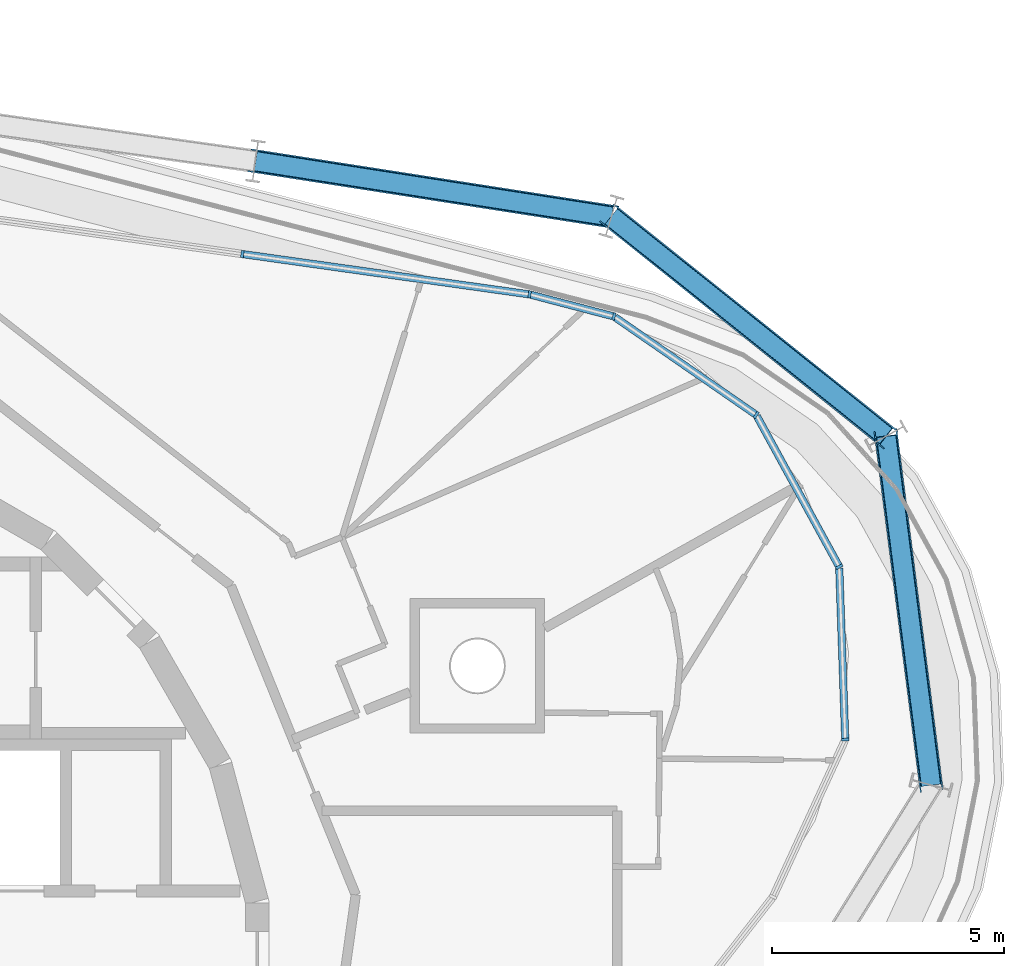
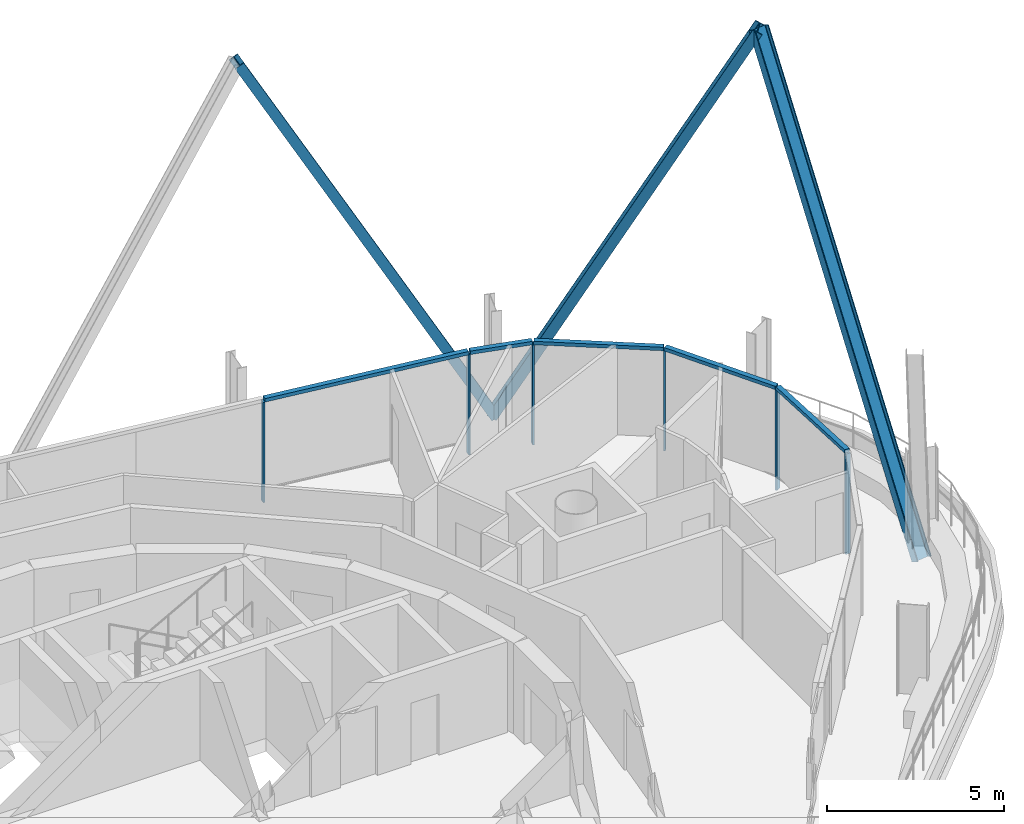
# One storey, part 7 of 17: 14 members, 2 elements without a shape of their own.
"""IFC4 building model written with IfcOpenShell, lengths in metres."""

from ifc_helpers import new_model, si_unit, direction, frame, origin, origin_2d, place, context, subcontext, project, spatial, rectangle, i_section, extrude, material, layer, layer_set, material_profile, profile_set, type_object, element, aggregate, save


model = new_model("IFC4")

# Units and contexts
model_context = context("Model", 3, precision=1e-05, world=origin(), true_north=direction((0.0, 1.0)))
body_context = subcontext(model_context, "Body", "Model", "MODEL_VIEW")
ifc_project = project(units=[si_unit("LENGTHUNIT", "METRE"), si_unit("AREAUNIT", "SQUARE_METRE"), si_unit("VOLUMEUNIT", "CUBIC_METRE"), si_unit("PLANEANGLEUNIT", "RADIAN"), si_unit("MASSUNIT", "GRAM", prefix="KILO")], contexts=[model_context])

# Site, building, storey
site_placement = place(None, origin())
site = spatial("IfcSite", under=ifc_project, at=site_placement, CompositionType="ELEMENT")
building_placement = place(site_placement, origin())
building = spatial("IfcBuilding", under=site, at=building_placement, Name="Spindle Arch Residences", CompositionType="ELEMENT")
storey_placement = place(building_placement, frame((0.0, 0.0, 333.0)))
storey = spatial("IfcBuildingStorey", under=building, at=storey_placement, Name="L85", CompositionType="ELEMENT", Elevation=333.0)

# Curtain wall, members
ifc_material_1 = material(Name="Aluminium bronze unitised frame with tinted glass", Category="aluminium")
ifc_layer_1 = layer(ifc_material_1, 0.159912109375)
ifc_layer_set_1 = layer_set([ifc_layer_1], Name="CW-D corner wall on the fillet arcs")
curtain_wall_type_1 = type_object("IfcCurtainWallType", Name="CW-D corner wall on the fillet arcs", PredefinedType="NOTDEFINED", material=ifc_layer_set_1)
curtain_wall_1_placement = place(storey_placement, origin())
curtain_wall_1 = element("IfcCurtainWall", 1, at=curtain_wall_1_placement, inside=storey, type_object=curtain_wall_type_1, Name="CW-D L85 run 1", PredefinedType="NOTDEFINED")
ifc_material_2 = material(Name="Aluminium bronze anodised mullion", Category="aluminium")
ifc_material_profile_1 = material_profile(ifc_material_2, rectangle(XDim=0.159912109375, YDim=0.06005859375, at=origin_2d()), Name="MU 60x160")
ifc_profile_set_1 = profile_set([ifc_material_profile_1], Name="Aluminium bronze anodised mullion")
member_type_1 = type_object("IfcMemberType", Name="Bronze mullion 60x160", PredefinedType="MULLION", material=ifc_profile_set_1)
member_1_placement = place(storey_placement, frame((24.31201171875, 5.033935546875, -0.449951171875), z_axis=(0.0, 0.0, 1.0), x_axis=(-0.999390827004, -0.034899497139, 0.0)))
member_1 = element("IfcMember", 2, at=member_1_placement, type_object=member_type_1, Name="CW-D mullion 02", PredefinedType="MULLION", context=body_context, shape_type="SweptSolid", body=[
    extrude(rectangle(XDim=0.159912109375, YDim=0.06005859375, at=origin_2d()), origin(), (0.0, 0.0, 1.0), 3.449951171875),
])
member_2_placement = place(storey_placement, frame((24.18212890625, 8.758544921875, -0.449951171875), z_axis=(0.0, 0.0, 1.0), x_axis=(-0.877425397533, -0.479713114021, 0.0)))
member_2 = element("IfcMember", 3, at=member_2_placement, type_object=member_type_1, Name="CW-D mullion 03", PredefinedType="MULLION", context=body_context, shape_type="SweptSolid", body=[
    extrude(rectangle(XDim=0.159912109375, YDim=0.06005859375, at=origin_2d()), origin(), (0.0, 0.0, 1.0), 3.449951171875),
])
member_3_placement = place(storey_placement, frame((22.394287109375, 12.0283203125, -0.449951171875), z_axis=(0.0, 0.0, 1.0), x_axis=(-0.568801123739, -0.822475094841, 0.0)))
member_3 = element("IfcMember", 4, at=member_3_placement, type_object=member_type_1, Name="CW-D mullion 04", PredefinedType="MULLION", context=body_context, shape_type="SweptSolid", body=[
    extrude(rectangle(XDim=0.159912109375, YDim=0.06005859375, at=origin_2d()), origin(), (0.0, 0.0, 1.0), 3.449951171875),
])
member_4_placement = place(storey_placement, frame((19.3291015625, 14.148193359375, -0.449951171875), z_axis=(0.0, 0.0, 1.0), x_axis=(-0.25319517245, -0.967415218326, 0.0)))
member_4 = element("IfcMember", 5, at=member_4_placement, type_object=member_type_1, Name="CW-D mullion 05", PredefinedType="MULLION", context=body_context, shape_type="SweptSolid", body=[
    extrude(rectangle(XDim=0.159912109375, YDim=0.06005859375, at=origin_2d()), origin(), (0.0, 0.0, 1.0), 3.449951171875),
])
member_5_placement = place(storey_placement, frame((17.51416015625, 14.623291015625, -0.449951171875), z_axis=(0.0, 0.0, 1.0), x_axis=(-0.13917310096, -0.990268068742, 0.0)))
member_5 = element("IfcMember", 6, at=member_5_placement, type_object=member_type_1, Name="CW-D mullion 06", PredefinedType="MULLION", context=body_context, shape_type="SweptSolid", body=[
    extrude(rectangle(XDim=0.159912109375, YDim=0.06005859375, at=origin_2d()), origin(), (0.0, 0.0, 1.0), 3.449951171875),
])

# Curtain wall, member
ifc_material_3 = material(Name="Aluminium bronze unitised frame with tinted glass", Category="aluminium")
ifc_layer_2 = layer(ifc_material_3, 0.159912109375)
ifc_layer_set_2 = layer_set([ifc_layer_2], Name="CW-C typical residential unitised wall")
curtain_wall_type_2 = type_object("IfcCurtainWallType", Name="CW-C typical residential unitised wall", PredefinedType="NOTDEFINED", material=ifc_layer_set_2)
curtain_wall_2_placement = place(storey_placement, origin())
curtain_wall_2 = element("IfcCurtainWall", 7, at=curtain_wall_2_placement, inside=storey, type_object=curtain_wall_type_2, Name="CW-C L85 run 2", PredefinedType="NOTDEFINED")
member_6_placement = place(storey_placement, frame((11.326171875, 15.492919921875, -0.449951171875), z_axis=(0.0, 0.0, 1.0), x_axis=(-0.13917310096, -0.990268068742, 0.0)))
member_6 = element("IfcMember", 8, at=member_6_placement, type_object=member_type_1, Name="CW-C mullion 05", PredefinedType="MULLION", context=body_context, shape_type="SweptSolid", body=[
    extrude(rectangle(XDim=0.159912109375, YDim=0.06005859375, at=origin_2d()), origin(), (0.0, 0.0, 1.0), 3.449951171875),
])
aggregate(curtain_wall_2, [member_6])

# Member
ifc_material_4 = material(Name="Aluminium bronze anodised transom", Category="aluminium")
ifc_material_profile_2 = material_profile(ifc_material_4, rectangle(XDim=0.159912109375, YDim=0.1201171875, at=origin_2d()), Name="TR 120x160")
ifc_profile_set_2 = profile_set([ifc_material_profile_2], Name="Aluminium bronze anodised transom")
member_type_2 = type_object("IfcMemberType", Name="Bronze transom 120x160", PredefinedType="USERDEFINED", material=ifc_profile_set_2)
member_7_placement = place(storey_placement, frame((24.31103515625, 5.06396484375, 3.06005859375), z_axis=(-0.034888806725, 0.999391200264, 0.0), x_axis=(-0.999391200264, -0.034888806725, 0.0)))
member_7 = element("IfcMember", 9, at=member_7_placement, type_object=member_type_2, Name="CW-D transom 02", ObjectType="TRANSOM", PredefinedType="USERDEFINED", context=body_context, shape_type="SweptSolid", body=[
    extrude(rectangle(XDim=0.159912109375, YDim=0.1201171875, at=origin_2d()), origin(), (0.0, 0.0, 1.0), 3.666748046875),
])

member_8_placement = place(storey_placement, frame((24.167724609375, 8.784912109375, 3.06005859375), z_axis=(-0.479724247399, 0.877419310511, 0.0), x_axis=(-0.877419310511, -0.479724247399, 0.0)))
member_8 = element("IfcMember", 10, at=member_8_placement, type_object=member_type_2, Name="CW-D transom 03", ObjectType="TRANSOM", PredefinedType="USERDEFINED", context=body_context, shape_type="SweptSolid", body=[
    extrude(rectangle(XDim=0.159912109375, YDim=0.1201171875, at=origin_2d()), origin(), (0.0, 0.0, 1.0), 3.666748046875),
])

member_9_placement = place(storey_placement, frame((22.36962890625, 12.04541015625, 3.06005859375), z_axis=(-0.822474926174, 0.568801367628, 0.0), x_axis=(-0.568801367628, -0.822474926174, 0.0)))
member_9 = element("IfcMember", 11, at=member_9_placement, type_object=member_type_2, Name="CW-D transom 04", ObjectType="TRANSOM", PredefinedType="USERDEFINED", context=body_context, shape_type="SweptSolid", body=[
    extrude(rectangle(XDim=0.159912109375, YDim=0.1201171875, at=origin_2d()), origin(), (0.0, 0.0, 1.0), 3.666748046875),
])

member_10_placement = place(storey_placement, frame((19.300048828125, 14.15576171875, 3.06005859375), z_axis=(-0.96739418578, 0.253275520568, 0.0), x_axis=(-0.253275520568, -0.96739418578, 0.0)))
member_10 = element("IfcMember", 12, at=member_10_placement, type_object=member_type_2, Name="CW-D transom 05", ObjectType="TRANSOM", PredefinedType="USERDEFINED", context=body_context, shape_type="SweptSolid", body=[
    extrude(rectangle(XDim=0.159912109375, YDim=0.1201171875, at=origin_2d()), origin(), (0.0, 0.0, 1.0), 1.816162109375),
])

member_11_placement = place(storey_placement, frame((17.484375, 14.62744140625, 3.06005859375), z_axis=(-0.990267285989, 0.139178670423, 0.0), x_axis=(-0.139178670423, -0.990267285989, 0.0)))
member_11 = element("IfcMember", 13, at=member_11_placement, type_object=member_type_2, Name="CW-D transom 06", ObjectType="TRANSOM", PredefinedType="USERDEFINED", context=body_context, shape_type="SweptSolid", body=[
    extrude(rectangle(XDim=0.159912109375, YDim=0.1201171875, at=origin_2d()), origin(), (0.0, 0.0, 1.0), 6.188720703125),
])

aggregate(curtain_wall_1, [member_1, member_7, member_2, member_8, member_3, member_9, member_4, member_10, member_5, member_11])

# Members
ifc_material_5 = material(Name="Steel S460ML, intumescent coating R 240", Category="steel")
ifc_material_profile_3 = material_profile(ifc_material_5, i_section(OverallWidth=0.300048828125, OverallDepth=0.5, WebThickness=0.014404296875, FlangeThickness=0.028076171875, FilletRadius=0.027099609375, at=origin_2d()), Name="HEB 500")
ifc_profile_set_3 = profile_set([ifc_material_profile_3], Name="Steel S460ML, intumescent coating R 240")
member_type_3 = type_object("IfcMemberType", Name="Diagrid diagonal HEB 500", PredefinedType="BRACE", material=ifc_profile_set_3)
for number, where, z_axis, x_axis, name in (
    (14, (26.15869140625, 4.05712890625, -0.699951171875), (-0.060378646806, 0.470210934399, 0.880486283926), (0.112140376613, -0.873315883352, 0.47407162309), "Diagrid diagonal 9.1.3"),
    (15, (19.27587890625, 16.30078125, -0.699951171875), (0.370336558901, -0.295978966815, 0.880481279951), (-0.687803275458, 0.549703500638, 0.47408091678), "Diagrid diagonal 9.1.4"),
):
    element("IfcMember", number, at=place(storey_placement, frame(where, z_axis=z_axis, x_axis=x_axis)), inside=storey, type_object=member_type_3, Name=name, PredefinedType="BRACE", context=body_context, shape_type="SweptSolid", body=[
        extrude(i_section(OverallWidth=0.300048828125, OverallDepth=0.5, WebThickness=0.014404296875, FlangeThickness=0.028076171875, FilletRadius=0.027099609375, at=origin_2d()), origin(), (0.0, 0.0, 1.0), 15.97998046875),
    ])
member_12_placement = place(storey_placement, frame((19.27587890625, 16.30078125, -0.699951171875), z_axis=(-0.477238042251, 0.074206641145, 0.875635326742), x_axis=(0.865238053053, -0.134537492872, 0.48297285075)))
element("IfcMember", 16, at=member_12_placement, inside=storey, type_object=member_type_3, Name="Diagrid diagonal 9.1.5", PredefinedType="BRACE", context=body_context, shape_type="SweptSolid", body=[
    extrude(i_section(OverallWidth=0.300048828125, OverallDepth=0.5, WebThickness=0.014404296875, FlangeThickness=0.028076171875, FilletRadius=0.027099609375, at=origin_2d()), origin(), (0.0, 0.0, 1.0), 16.068359375),
])

save(model, "model.ifc")
